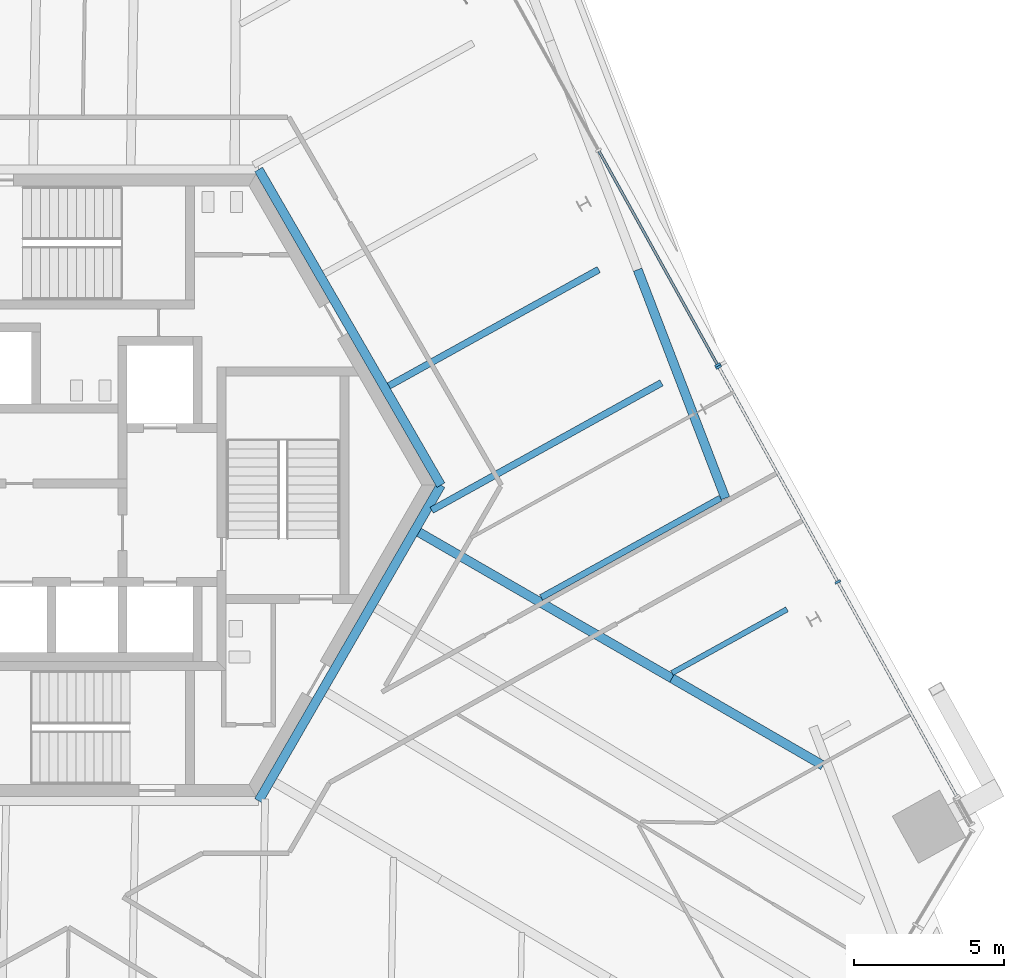
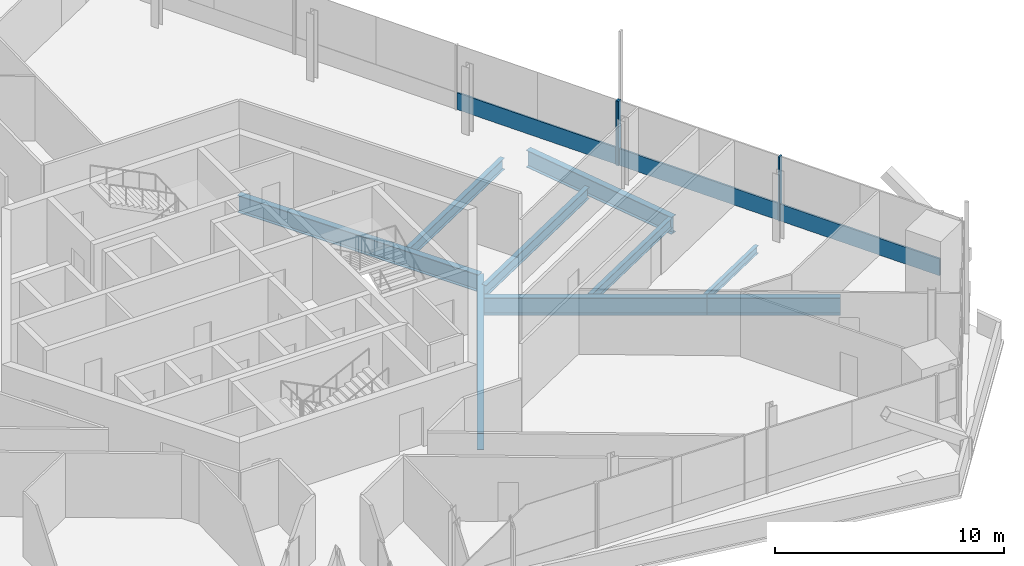
# One storey, part 7 of 22: 9 beams, 6 members, 2 elements without a shape of their own.
"""IFC4 building model written with IfcOpenShell, lengths in metres."""

from ifc_helpers import new_model, si_unit, direction, frame, origin, origin_2d, place, context, subcontext, project, spatial, rectangle, i_section, extrude, source, transform, mapped, material, material_profile, profile_set, type_object, element, aggregate, save


model = new_model("IFC4")

# Units and contexts
model_context = context("Model", 3, precision=1e-05, world=origin(), true_north=direction((0.0, 1.0)))
body_context = subcontext(model_context, "Body", "Model", "MODEL_VIEW")
ifc_project = project(units=[si_unit("LENGTHUNIT", "METRE"), si_unit("AREAUNIT", "SQUARE_METRE"), si_unit("VOLUMEUNIT", "CUBIC_METRE"), si_unit("PLANEANGLEUNIT", "RADIAN"), si_unit("MASSUNIT", "GRAM", prefix="KILO")], contexts=[model_context])

# Site, building, storey
site_placement = place(None, origin())
site = spatial("IfcSite", under=ifc_project, at=site_placement, CompositionType="ELEMENT")
building_placement = place(site_placement, origin())
building = spatial("IfcBuilding", under=site, at=building_placement, Name="Triune Harvest Tower", CompositionType="ELEMENT")
storey_placement = place(building_placement, frame((0.0, 0.0, 179.89990234375)))
storey = spatial("IfcBuildingStorey", under=building, at=storey_placement, Name="L46", CompositionType="ELEMENT", Elevation=179.89990234375)

# Beams
ifc_material_1 = material(Name="Steel ASTM A992 Gr 50", Category="steel")
ifc_material_profile_1 = material_profile(ifc_material_1, i_section(OverallWidth=0.307373046875, OverallDepth=0.922119140625, WebThickness=0.018310546875, FlangeThickness=0.030029296875, at=origin_2d()), Name="W36x182")
ifc_profile_set_1 = profile_set([ifc_material_profile_1], Name="Steel ASTM A992 Gr 50")
beam_type_1 = type_object("IfcBeamType", Name="HG-2 Hip girder W36x182", PredefinedType="BEAM", material=ifc_profile_set_1)
beam_1_placement = place(storey_placement, frame((24.939697265625, -9.365478515625, -0.620849609375), z_axis=(-0.866022320763, 0.500005339912, 0.0), x_axis=(-0.500005339912, -0.866022320763, 0.0)))
element("IfcBeam", 1, at=beam_1_placement, inside=storey, type_object=beam_type_1, Name="beam/L46/HG1", PredefinedType="BEAM", context=body_context, shape_type="SweptSolid", body=[
    extrude(i_section(OverallWidth=0.307373046875, OverallDepth=0.922119140625, WebThickness=0.018310546875, FlangeThickness=0.030029296875, at=origin_2d()), origin(), (0.0, 0.0, 1.0), 5.8271484375),
])
ifc_material_2 = material(Name="Steel ASTM A992 Gr 50", Category="steel")
ifc_material_profile_2 = material_profile(ifc_material_2, i_section(OverallWidth=0.180908203125, OverallDepth=0.41650390625, WebThickness=0.010986328125, FlangeThickness=0.01806640625, at=origin_2d()), Name="W16x57")
ifc_profile_set_2 = profile_set([ifc_material_profile_2], Name="Steel ASTM A992 Gr 50")
beam_type_2 = type_object("IfcBeamType", Name="JT-1 Floor joist W16x57", PredefinedType="JOIST", material=ifc_profile_set_2)
beam_2_placement = place(storey_placement, frame((23.736083984375, -4.146240234375, -0.3681640625), z_axis=(-0.874618394326, -0.484811988617, 0.0), x_axis=(0.484811988617, -0.874618394326, 0.0)))
element("IfcBeam", 2, at=beam_2_placement, inside=storey, type_object=beam_type_2, Name="beam/L46/JT2", PredefinedType="JOIST", context=body_context, shape_type="SweptSolid", body=[
    extrude(i_section(OverallWidth=0.180908203125, OverallDepth=0.41650390625, WebThickness=0.010986328125, FlangeThickness=0.01806640625, at=origin_2d()), origin(), (0.0, 0.0, 1.0), 4.3916015625),
])
ifc_material_3 = material(Name="Steel ASTM A992 Gr 50", Category="steel")
ifc_material_profile_3 = material_profile(ifc_material_3, i_section(OverallWidth=0.22900390625, OverallDepth=0.612060546875, WebThickness=0.011962890625, FlangeThickness=0.01953125, at=origin_2d()), Name="W24x84")
ifc_profile_set_3 = profile_set([ifc_material_profile_3], Name="Steel ASTM A992 Gr 50")
beam_type_3 = type_object("IfcBeamType", Name="JT-3 Floor joist W24x84", PredefinedType="JOIST", material=ifc_profile_set_3)
beam_3_placement = place(storey_placement, frame((17.447265625, 7.19921875, -0.466064453125), z_axis=(-0.874621053864, -0.484807190683, 0.0), x_axis=(0.484807190683, -0.874621053864, 0.0)))
element("IfcBeam", 3, at=beam_3_placement, inside=storey, type_object=beam_type_3, Name="beam/L46/JT5", PredefinedType="JOIST", context=body_context, shape_type="SweptSolid", body=[
    extrude(i_section(OverallWidth=0.22900390625, OverallDepth=0.612060546875, WebThickness=0.011962890625, FlangeThickness=0.01953125, at=origin_2d()), origin(), (0.0, 0.0, 1.0), 8.013427734375),
])
ifc_material_4 = material(Name="Steel ASTM A992 Gr 50", Category="steel")
ifc_material_profile_4 = material_profile(ifc_material_4, i_section(OverallWidth=0.3046875, OverallDepth=0.914306640625, WebThickness=0.0166015625, FlangeThickness=0.02587890625, at=origin_2d()), Name="W36x160")
ifc_profile_set_4 = profile_set([ifc_material_profile_4], Name="Steel ASTM A992 Gr 50")
beam_type_4 = type_object("IfcBeamType", Name="CG-1 Core ring girder W36x160", PredefinedType="BEAM", material=ifc_profile_set_4)
shared_shape_1 = source(origin(), body_context, "Body", "SweptSolid", [
    extrude(i_section(OverallWidth=0.3046875, OverallDepth=0.914306640625, WebThickness=0.0166015625, FlangeThickness=0.02587890625, at=origin_2d()), origin(), (0.0, 0.0, 1.0), 12.176025390625),
])
for number, where, z_axis, x_axis, name in (
    (4, (12.176025390625, 0.0, -0.6171875), (-0.5000099932, 0.866019634131, 0.0), (-0.866019634131, -0.5000099932, 0.0), "beam/L46/CG1"),
    (5, (6.087890625, -10.544677734375, -0.6171875), (0.5000099932, 0.866019634131, 0.0), (-0.866019634131, 0.5000099932, 0.0), "beam/L46/CG6"),
):
    element("IfcBeam", number, at=place(storey_placement, frame(where, z_axis=z_axis, x_axis=x_axis)), inside=storey, type_object=beam_type_4, Name=name, PredefinedType="BEAM", context=body_context, shape_type="MappedRepresentation", body=[
        mapped(shared_shape_1, transform((0.0, 0.0, 0.0), scale=1.0)),
    ])
ifc_material_5 = material(Name="Steel ASTM A992 Gr 50", Category="steel")
ifc_material_profile_5 = material_profile(ifc_material_5, i_section(OverallWidth=0.3046875, OverallDepth=0.914306640625, WebThickness=0.0166015625, FlangeThickness=0.02587890625, at=origin_2d()), Name="W36x160")
ifc_profile_set_5 = profile_set([ifc_material_profile_5], Name="Steel ASTM A992 Gr 50")
beam_type_5 = type_object("IfcBeamType", Name="SB-1 Spandrel beam W36x160", PredefinedType="SPANDREL", material=ifc_profile_set_5)
shared_shape_2 = source(origin(), body_context, "Body", "SweptSolid", [
    extrude(i_section(OverallWidth=0.3046875, OverallDepth=0.914306640625, WebThickness=0.0166015625, FlangeThickness=0.02587890625, at=origin_2d()), origin(), (0.0, 0.0, 1.0), 8.175048828125),
])
beam_4_placement = place(storey_placement, frame((21.677734375, -0.435302734375, -0.6171875), z_axis=(-0.358368636722, 0.933580162714, 0.0), x_axis=(-0.933580162714, -0.358368636722, 0.0)))
element("IfcBeam", 6, at=beam_4_placement, inside=storey, type_object=beam_type_5, Name="beam/L46/WB2", PredefinedType="SPANDREL", context=body_context, shape_type="MappedRepresentation", body=[
    mapped(shared_shape_2, transform((0.0, 0.0, 0.0), scale=1.0)),
])
shared_shape_3 = source(origin(), body_context, "Body", "SweptSolid", [
    extrude(i_section(OverallWidth=0.307373046875, OverallDepth=0.922119140625, WebThickness=0.018310546875, FlangeThickness=0.030029296875, at=origin_2d()), origin(), (0.0, 0.0, 1.0), 9.7568359375),
])
beam_5_placement = place(storey_placement, frame((19.893310546875, -6.451904296875, -0.620849609375), z_axis=(-0.866026409454, 0.499998258125, 0.0), x_axis=(-0.499998258125, -0.866026409454, 0.0)))
element("IfcBeam", 7, at=beam_5_placement, inside=storey, type_object=beam_type_1, Name="beam/L46/HG2", PredefinedType="BEAM", context=body_context, shape_type="MappedRepresentation", body=[
    mapped(shared_shape_3, transform((0.0, 0.0, 0.0), scale=1.0)),
])
ifc_material_6 = material(Name="Steel ASTM A992 Gr 50", Category="steel")
ifc_material_profile_6 = material_profile(ifc_material_6, i_section(OverallWidth=0.2099609375, OverallDepth=0.535888671875, WebThickness=0.010986328125, FlangeThickness=0.017333984375, at=origin_2d()), Name="W21x68")
ifc_profile_set_6 = profile_set([ifc_material_profile_6], Name="Steel ASTM A992 Gr 50")
beam_type_6 = type_object("IfcBeamType", Name="JT-2 Floor joist W21x68", PredefinedType="JOIST", material=ifc_profile_set_6)
shared_shape_4 = source(origin(), body_context, "Body", "SweptSolid", [
    extrude(i_section(OverallWidth=0.2099609375, OverallDepth=0.535888671875, WebThickness=0.010986328125, FlangeThickness=0.017333984375, at=origin_2d()), origin(), (0.0, 0.0, 1.0), 6.84619140625),
])
beam_6_placement = place(storey_placement, frame((21.513916015625, -0.43408203125, -0.427978515625), z_axis=(-0.874619462116, -0.48481006228, 0.0), x_axis=(0.48481006228, -0.874619462116, 0.0)))
element("IfcBeam", 8, at=beam_6_placement, inside=storey, type_object=beam_type_6, Name="beam/L46/JT3", PredefinedType="JOIST", context=body_context, shape_type="MappedRepresentation", body=[
    mapped(shared_shape_4, transform((0.0, 0.0, 0.0), scale=1.0)),
])
shared_shape_5 = source(origin(), body_context, "Body", "SweptSolid", [
    extrude(i_section(OverallWidth=0.22900390625, OverallDepth=0.612060546875, WebThickness=0.011962890625, FlangeThickness=0.01953125, at=origin_2d()), origin(), (0.0, 0.0, 1.0), 8.774658203125),
])
beam_7_placement = place(storey_placement, frame((19.54345703125, 3.41748046875, -0.466064453125), z_axis=(-0.8746162272, -0.48481589817, 0.0), x_axis=(0.48481589817, -0.8746162272, 0.0)))
element("IfcBeam", 9, at=beam_7_placement, inside=storey, type_object=beam_type_3, Name="beam/L46/JT4", PredefinedType="JOIST", context=body_context, shape_type="MappedRepresentation", body=[
    mapped(shared_shape_5, transform((0.0, 0.0, 0.0), scale=1.0)),
])

# Curtain wall, members
ifc_material_7 = material(Name="Aluminium bronze anodised", Category="aluminium")
curtain_wall_type_1 = type_object("IfcCurtainWallType", Name="CW-7 Tower stick curtain wall with insulated spandrel infill", PredefinedType="NOTDEFINED", material=ifc_material_7)
curtain_wall_1_placement = place(storey_placement, origin())
curtain_wall_1 = element("IfcCurtainWall", 10, at=curtain_wall_1_placement, inside=storey, type_object=curtain_wall_type_1, Name="CW-7 B5-F1 L46 run 101")
ifc_material_8 = material(Name="Aluminium bronze anodised", Category="aluminium")
ifc_material_profile_7 = material_profile(ifc_material_8, rectangle(XDim=0.199951171875, YDim=0.074951171875, at=origin_2d()), Name="MU-1 mullion 75 x 200")
ifc_profile_set_7 = profile_set([ifc_material_profile_7], Name="Aluminium bronze anodised")
member_type_1 = type_object("IfcMemberType", Name="MU-1 mullion 75 x 200", PredefinedType="MULLION", material=ifc_profile_set_7)
shared_shape_6 = source(origin(), body_context, "Body", "SweptSolid", [
    extrude(rectangle(XDim=0.199951171875, YDim=0.074951171875, at=origin_2d()), origin(), (0.0, 0.0, 1.0), 3.440185546875),
])
member_1_placement = place(storey_placement, frame((25.431640625, -3.230224609375, 0.0), z_axis=(0.0, 0.0, 1.0), x_axis=(-0.874619307307, -0.484810341563, 0.0)))
member_1 = element("IfcMember", 11, at=member_1_placement, type_object=member_type_1, Name="CW-7 mullion B5-F1 101.3", PredefinedType="MULLION", context=body_context, shape_type="MappedRepresentation", body=[
    mapped(shared_shape_6, transform((0.0, 0.0, 0.0), scale=1.0)),
])
member_2_placement = place(storey_placement, frame((21.4541015625, 3.945556640625, 0.0), z_axis=(0.0, 0.0, 1.0), x_axis=(-0.874619307307, -0.484810341563, 0.0)))
member_2 = element("IfcMember", 12, at=member_2_placement, type_object=member_type_1, Name="CW-7 mullion B5-F1 101.5", PredefinedType="MULLION", context=body_context, shape_type="MappedRepresentation", body=[
    mapped(shared_shape_6, transform((0.0, 0.0, 0.0), scale=1.0)),
])

# Curtain wall, member
ifc_material_9 = material(Name="Aluminium bronze anodised", Category="aluminium")
curtain_wall_type_2 = type_object("IfcCurtainWallType", Name="CW-1 Tower stick curtain wall", PredefinedType="NOTDEFINED", material=ifc_material_9)
curtain_wall_2_placement = place(storey_placement, origin())
curtain_wall_2 = element("IfcCurtainWall", 13, at=curtain_wall_2_placement, inside=storey, type_object=curtain_wall_type_2, Name="CW-1 B5-F1 L46 run 1101")
member_3_placement = place(storey_placement, frame((21.417724609375, 4.01123046875, 0.0), z_axis=(0.0, 0.0, 1.0), x_axis=(-0.874620733173, -0.484807769227, 0.0)))
member_3 = element("IfcMember", 14, at=member_3_placement, type_object=member_type_1, Name="CW-1 mullion B5-F1 1101.1", PredefinedType="MULLION", context=body_context, shape_type="MappedRepresentation", body=[
    mapped(shared_shape_6, transform((0.0, 0.0, 0.0), scale=1.0)),
])

# Member
ifc_material_10 = material(Name="Aluminium bronze anodised", Category="aluminium")
ifc_material_profile_8 = material_profile(ifc_material_10, rectangle(XDim=0.090087890625, YDim=0.89990234375, at=origin_2d()), Name="TR-1 transom 90 x 900")
ifc_profile_set_8 = profile_set([ifc_material_profile_8], Name="Aluminium bronze anodised")
member_type_2 = type_object("IfcMemberType", Name="TR-1 transom 90 x 900", PredefinedType="USERDEFINED", material=ifc_profile_set_8)
shared_shape_7 = source(origin(), body_context, "Body", "SweptSolid", [
    extrude(rectangle(XDim=0.090087890625, YDim=0.89990234375, at=origin_2d()), origin(), (0.0, 0.0, 1.0), 8.129638671875),
])
member_4_placement = place(storey_placement, frame((29.39111328125, -10.373291015625, 0.4501953125), z_axis=(-0.484793612487, 0.874628580194, 0.0), x_axis=(-0.874628580194, -0.484793612487, 0.0)))
member_4 = element("IfcMember", 15, at=member_4_placement, type_object=member_type_2, Name="CW-7 transom B5-F1 101.1", ObjectType="TRANSOM", PredefinedType="USERDEFINED", context=body_context, shape_type="MappedRepresentation", body=[
    mapped(shared_shape_7, transform((0.0, 0.0, 0.0), scale=1.0)),
])

member_5_placement = place(storey_placement, frame((25.41357421875, -3.197509765625, 0.4501953125), z_axis=(-0.484816585105, 0.874615846419, 0.0), x_axis=(-0.874615846419, -0.484816585105, 0.0)))
member_5 = element("IfcMember", 16, at=member_5_placement, type_object=member_type_2, Name="CW-7 transom B5-F1 101.2", ObjectType="TRANSOM", PredefinedType="USERDEFINED", context=body_context, shape_type="MappedRepresentation", body=[
    mapped(shared_shape_7, transform((0.0, 0.0, 0.0), scale=1.0)),
])

aggregate(curtain_wall_1, [member_1, member_2, member_4, member_5])

member_6_placement = place(storey_placement, frame((21.399658203125, 4.0439453125, 0.4501953125), z_axis=(-0.484816585105, 0.874615846419, 0.0), x_axis=(-0.874615846419, -0.484816585105, 0.0)))
member_6 = element("IfcMember", 17, at=member_6_placement, type_object=member_type_2, Name="CW-1 transom B5-F1 1101.1", ObjectType="TRANSOM", PredefinedType="USERDEFINED", context=body_context, shape_type="MappedRepresentation", body=[
    mapped(shared_shape_7, transform((0.0, 0.0, 0.0), scale=1.0)),
])

aggregate(curtain_wall_2, [member_3, member_6])

save(model, "model.ifc")
